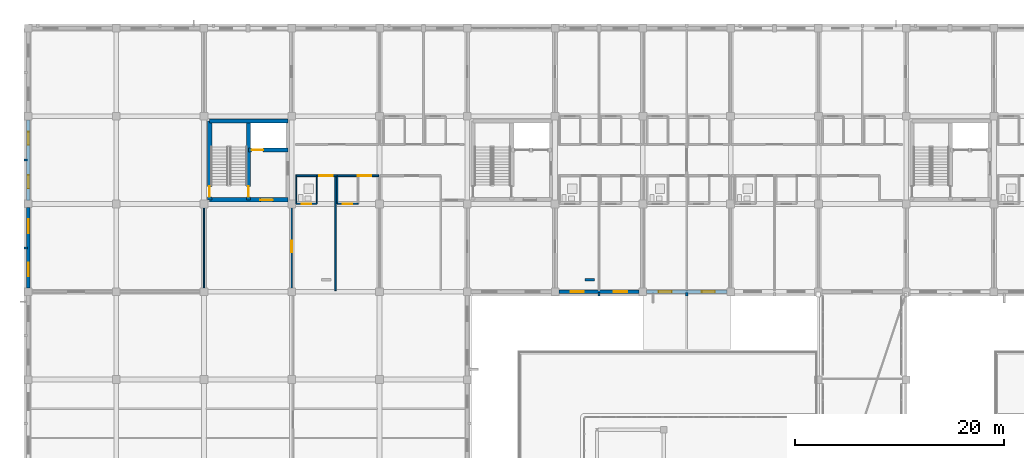
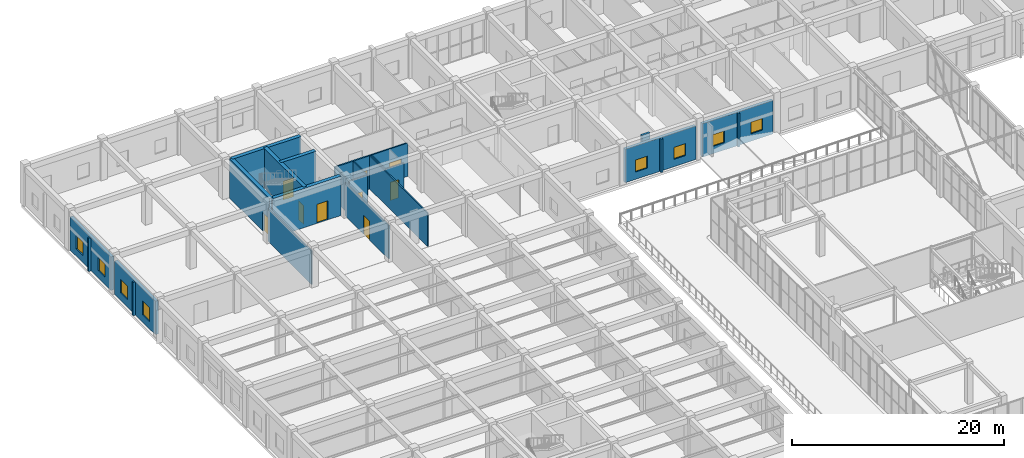
# One storey, part 126 of 158: 23 walls, 9 doors, 8 windows, 17 openings.
"""IFC4 building model written with IfcOpenShell, lengths in metres."""

from ifc_helpers import new_model, si_unit, direction, frame, frame_2d, origin, place, context, subcontext, project, spatial, rectangle, extrude, material, layer, layer_set, type_object, element, fill, save


model = new_model("IFC4")

# Units and contexts
model_context = context("Model", 3, precision=1e-05, world=origin(), true_north=direction((0.0, 1.0)))
body_context = subcontext(model_context, "Body", "Model", "MODEL_VIEW")
ifc_project = project(units=[si_unit("LENGTHUNIT", "METRE"), si_unit("AREAUNIT", "SQUARE_METRE"), si_unit("VOLUMEUNIT", "CUBIC_METRE"), si_unit("PLANEANGLEUNIT", "RADIAN"), si_unit("MASSUNIT", "GRAM", prefix="KILO")], contexts=[model_context])

# Site, building, storey
site_placement = place(None, origin())
site = spatial("IfcSite", under=ifc_project, at=site_placement, CompositionType="ELEMENT")
building_placement = place(site_placement, origin())
building = spatial("IfcBuilding", under=site, at=building_placement, Name="Trelvath General Hospital", CompositionType="ELEMENT")
storey_placement = place(building_placement, frame((0.0, 0.0, 8.10009765625)))
storey = spatial("IfcBuildingStorey", under=building, at=storey_placement, Name="L02", CompositionType="ELEMENT", Elevation=8.10009765625)

# Walls
ifc_material_1 = material(Name="Precast concrete C40/50", Category="concrete")
ifc_layer_1 = layer(ifc_material_1, 0.199951171875)
ifc_layer_set_1 = layer_set([ifc_layer_1], Name="Precast concrete C40/50")
wall_type_1 = type_object("IfcWallType", Name="BriseSoleilRib 200", PredefinedType="ELEMENTEDWALL", material=ifc_layer_set_1)
for number, where, z_axis, x_axis, name in (
    (1, (-0.074951171875, 96.60009765625, 0.0), (0.0, 0.0, 1.0), (-1.0, 0.0, 0.0), "Precast Concrete Brise-Soleil Rib Fin L02-169"),
    (2, (-0.074951171875, 105.0, 0.0), (0.0, 0.0, 1.0), (-1.0, 0.0, 0.0), "Precast Concrete Brise-Soleil Rib Fin L02-170"),
):
    element("IfcWall", number, at=place(storey_placement, frame(where, z_axis=z_axis, x_axis=x_axis)), inside=storey, type_object=wall_type_1, Name=name, PredefinedType="ELEMENTEDWALL", context=body_context, shape_type="SweptSolid", body=[
        extrude(rectangle(XDim=0.340087890625, YDim=0.199951171875, at=frame_2d((0.169921875, 0.0))), origin(), (0.0, 0.0, 1.0), 3.83984375),
    ])
for number, where, z_axis, x_axis, name in (
    (3, (54.60009765625, 92.324951171875, 0.0), (0.0, 0.0, 1.0), (0.0, -1.0, 0.0), "Precast Concrete Brise-Soleil Rib Fin L02-189"),
    (4, (63.0, 92.324951171875, 0.0), (0.0, 0.0, 1.0), (0.0, -1.0, 0.0), "Precast Concrete Brise-Soleil Rib Fin L02-193"),
):
    element("IfcWall", number, at=place(storey_placement, frame(where, z_axis=z_axis, x_axis=x_axis)), inside=storey, type_object=wall_type_1, Name=name, PredefinedType="ELEMENTEDWALL", context=body_context, shape_type="SweptSolid", body=[
        extrude(rectangle(XDim=0.33984375, YDim=0.199951171875, at=frame_2d((0.169921875, 0.0))), origin(), (0.0, 0.0, 1.0), 3.83984375),
    ])

# Wall, openings, doors
ifc_material_2 = material(Name="Gypsum acoustic steel-stud partition", Category="steel")
ifc_layer_2 = layer(ifc_material_2, 0.14990234375)
ifc_layer_set_2 = layer_set([ifc_layer_2], Name="Gypsum acoustic steel-stud partition")
wall_type_2 = type_object("IfcWallType", Name="ClinicalPartition 150", PredefinedType="PARTITIONING", material=ifc_layer_set_2)
wall_1_placement = place(storey_placement, frame((25.56005859375, 103.5, 0.0), z_axis=(0.0, 0.0, 1.0), x_axis=(1.0, 0.0, 0.0)))
wall_1 = element("IfcWall", 5, at=wall_1_placement, inside=storey, type_object=wall_type_2, Name="Corridor Partition L02-858", PredefinedType="PARTITIONING", context=body_context, shape_type="SweptSolid", body=[
    extrude(rectangle(XDim=7.9599609375, YDim=0.14990234375, at=frame_2d((3.97998046875, 0.0))), origin(), (0.0, 0.0, 1.0), 3.83984375),
])
opening_1_placement = place(wall_1_placement, frame((2.25, 0.0, 0.0)))
opening_1 = element("IfcOpeningElement", 6, at=opening_1_placement, cuts=wall_1, Name="Opening D-2-0715", PredefinedType="OPENING", context=body_context, shape_type="SweptSolid", body=[
    extrude(rectangle(XDim=1.300048828125, YDim=2.25, at=frame_2d((0.64990234375, 1.125))), frame((0.0, 0.0849609375, 0.0), z_axis=(0.0, -1.0, 0.0), x_axis=(1.0, 0.0, 0.0)), (0.0, 0.0, 1.0), 0.169921875),
])
opening_2_placement = place(wall_1_placement, frame((5.949951171875, 0.0, 0.0)))
opening_2 = element("IfcOpeningElement", 7, at=opening_2_placement, cuts=wall_1, Name="Opening D-2-0716", PredefinedType="OPENING", context=body_context, shape_type="SweptSolid", body=[
    extrude(rectangle(XDim=1.300048828125, YDim=2.25, at=frame_2d((0.64990234375, 1.125))), frame((0.0, 0.0849609375, 0.0), z_axis=(0.0, -1.0, 0.0), x_axis=(1.0, 0.0, 0.0)), (0.0, 0.0, 1.0), 0.169921875),
])
ifc_material_3 = material(Name="Hospital bed-leaf timber door", Category="wood")
door_type_1 = type_object("IfcDoorType", Name="Door PatientBed 1300x2250", OperationType="NOTDEFINED", PredefinedType="DOOR", material=ifc_material_3)
door_1_placement = place(opening_1_placement, origin())
door_1 = element("IfcDoor", 8, at=door_1_placement, inside=storey, type_object=door_type_1, Name="Patient Room Door L02-715", OperationType="SINGLE_SWING_RIGHT", OverallHeight=2.25, OverallWidth=1.300048828125, PredefinedType="DOOR", context=body_context, shape_type="SweptSolid", body=[
    extrude(rectangle(XDim=1.300048828125, YDim=2.25, at=frame_2d((0.64990234375, 1.125))), frame((0.0, 0.02490234375, 0.0), z_axis=(0.0, -1.0, 0.0), x_axis=(1.0, 0.0, 0.0)), (0.0, 0.0, 1.0), 0.050048828125),
])
fill(opening_1, door_1)
door_2_placement = place(opening_2_placement, origin())
door_2 = element("IfcDoor", 9, at=door_2_placement, inside=storey, type_object=door_type_1, Name="Patient Room Door L02-716", OperationType="SINGLE_SWING_LEFT", OverallHeight=2.25, OverallWidth=1.300048828125, PredefinedType="DOOR", context=body_context, shape_type="SweptSolid", body=[
    extrude(rectangle(XDim=1.300048828125, YDim=2.25, at=frame_2d((0.64990234375, 1.125))), frame((0.0, 0.02490234375, 0.0), z_axis=(0.0, -1.0, 0.0), x_axis=(1.0, 0.0, 0.0)), (0.0, 0.0, 1.0), 0.050048828125),
])
fill(opening_2, door_2)

# Wall, opening, door
ifc_material_4 = material(Name="Concrete C40/50", Category="concrete")
ifc_layer_3 = layer(ifc_material_4, 0.39990234375)
ifc_layer_set_3 = layer_set([ifc_layer_3], Name="Concrete C40/50")
wall_type_3 = type_object("IfcWallType", Name="CoreShearWall 400", PredefinedType="SHEAR", material=ifc_layer_set_3)
wall_2_placement = place(storey_placement, frame((17.35009765625, 101.199951171875, 0.0), z_axis=(0.0, 0.0, 1.0), x_axis=(1.0, 0.0, 0.0)))
wall_2 = element("IfcWall", 10, at=wall_2_placement, inside=storey, type_object=wall_type_3, Name="Core Shear Wall C3 S L02", PredefinedType="SHEAR", context=body_context, shape_type="SweptSolid", body=[
    extrude(rectangle(XDim=7.5, YDim=0.39990234375, at=frame_2d((3.75, 0.0))), origin(), (0.0, 0.0, 1.0), 4.52001953125),
])
opening_3_placement = place(wall_2_placement, frame((4.85009765625, 0.0, 0.0)))
opening_3 = element("IfcOpeningElement", 11, at=opening_3_placement, cuts=wall_2, Name="Opening FD-LS32", PredefinedType="OPENING", context=body_context, shape_type="SweptSolid", body=[
    extrude(rectangle(XDim=1.199951171875, YDim=2.199951171875, at=frame_2d((0.60009765625, 1.10009765625))), frame((0.0, 0.2099609375, 0.0), z_axis=(0.0, -1.0, 0.0), x_axis=(1.0, 0.0, 0.0)), (0.0, 0.0, 1.0), 0.419921875),
])
ifc_material_5 = material(Name="Fire-rated steel door", Category="steel")
door_type_2 = type_object("IfcDoorType", Name="Door FireLobby 1200x2200", OperationType="NOTDEFINED", PredefinedType="DOOR", material=ifc_material_5)
door_3_placement = place(opening_3_placement, origin())
door_3 = element("IfcDoor", 12, at=door_3_placement, inside=storey, type_object=door_type_2, Name="Fire Lobby South Door C3 L02", OperationType="SINGLE_SWING_LEFT", OverallHeight=2.199951171875, OverallWidth=1.199951171875, PredefinedType="DOOR", context=body_context, shape_type="SweptSolid", body=[
    extrude(rectangle(XDim=1.199951171875, YDim=2.199951171875, at=frame_2d((0.60009765625, 1.10009765625))), frame((0.0, 0.02490234375, 0.0), z_axis=(0.0, -1.0, 0.0), x_axis=(1.0, 0.0, 0.0)), (0.0, 0.0, 1.0), 0.050048828125),
])
fill(opening_3, door_3)

# Wall
wall_3_placement = place(storey_placement, frame((17.35009765625, 108.75, 0.0), z_axis=(0.0, 0.0, 1.0), x_axis=(1.0, 0.0, 0.0)))
element("IfcWall", 13, at=wall_3_placement, inside=storey, type_object=wall_type_3, Name="Core Shear Wall C3 N L02", PredefinedType="SHEAR", context=body_context, shape_type="SweptSolid", body=[
    extrude(rectangle(XDim=7.5, YDim=0.39990234375, at=frame_2d((3.75, 0.0))), origin(), (0.0, 0.0, 1.0), 4.52001953125),
])

# Wall, opening, door
wall_4_placement = place(storey_placement, frame((17.35009765625, 101.199951171875, 0.0), z_axis=(0.0, 0.0, 1.0), x_axis=(0.0, 1.0, 0.0)))
wall_4 = element("IfcWall", 14, at=wall_4_placement, inside=storey, type_object=wall_type_3, Name="Core Shear Wall C3 W L02", PredefinedType="SHEAR", context=body_context, shape_type="SweptSolid", body=[
    extrude(rectangle(XDim=7.550048828125, YDim=0.39990234375, at=frame_2d((3.77490234375, 0.0))), origin(), (0.0, 0.0, 1.0), 4.52001953125),
])
opening_4_placement = place(wall_4_placement, frame((0.280029296875, 0.0, 0.0)))
opening_4 = element("IfcOpeningElement", 15, at=opening_4_placement, cuts=wall_4, Name="Opening FD-SW32", PredefinedType="OPENING", context=body_context, shape_type="SweptSolid", body=[
    extrude(rectangle(XDim=1.0, YDim=2.14990234375, at=frame_2d((0.5, 1.074951171875))), frame((0.0, 0.2099609375, 0.0), z_axis=(0.0, -1.0, 0.0), x_axis=(1.0, 0.0, 0.0)), (0.0, 0.0, 1.0), 0.419921875),
])
ifc_material_6 = material(Name="Fire-rated steel door", Category="steel")
door_type_3 = type_object("IfcDoorType", Name="Door FireStair 1100x2150", OperationType="NOTDEFINED", PredefinedType="DOOR", material=ifc_material_6)
door_4_placement = place(opening_4_placement, origin())
door_4 = element("IfcDoor", 16, at=door_4_placement, inside=storey, type_object=door_type_3, Name="West Corridor Stair Door ST3 L02", OperationType="SINGLE_SWING_RIGHT", OverallHeight=2.14990234375, OverallWidth=1.0, PredefinedType="DOOR", context=body_context, shape_type="SweptSolid", body=[
    extrude(rectangle(XDim=1.0, YDim=2.14990234375, at=frame_2d((0.5, 1.074951171875))), frame((0.0, 0.02490234375, 0.0), z_axis=(0.0, -1.0, 0.0), x_axis=(1.0, 0.0, 0.0)), (0.0, 0.0, 1.0), 0.050048828125),
])
fill(opening_4, door_4)

wall_5_placement = place(storey_placement, frame((21.050048828125, 101.199951171875, 0.0), z_axis=(0.0, 0.0, 1.0), x_axis=(0.0, 1.0, 0.0)))
wall_5 = element("IfcWall", 17, at=wall_5_placement, inside=storey, type_object=wall_type_3, Name="Core Shear Wall C3 SPINE L02", PredefinedType="SHEAR", context=body_context, shape_type="SweptSolid", body=[
    extrude(rectangle(XDim=7.550048828125, YDim=0.39990234375, at=frame_2d((3.77490234375, 0.0))), origin(), (0.0, 0.0, 1.0), 4.52001953125),
])
opening_5_placement = place(wall_5_placement, frame((0.280029296875, 0.0, 0.0)))
opening_5 = element("IfcOpeningElement", 18, at=opening_5_placement, cuts=wall_5, Name="Opening FD-S32", PredefinedType="OPENING", context=body_context, shape_type="SweptSolid", body=[
    extrude(rectangle(XDim=1.0, YDim=2.14990234375, at=frame_2d((0.5, 1.074951171875))), frame((0.0, 0.2099609375, 0.0), z_axis=(0.0, -1.0, 0.0), x_axis=(1.0, 0.0, 0.0)), (0.0, 0.0, 1.0), 0.419921875),
])
door_5_placement = place(opening_5_placement, origin())
door_5 = element("IfcDoor", 19, at=door_5_placement, inside=storey, type_object=door_type_3, Name="Exit Stair Door ST3 L02", OperationType="SINGLE_SWING_LEFT", OverallHeight=2.14990234375, OverallWidth=1.0, PredefinedType="DOOR", context=body_context, shape_type="SweptSolid", body=[
    extrude(rectangle(XDim=1.0, YDim=2.14990234375, at=frame_2d((0.5, 1.074951171875))), frame((0.0, 0.02490234375, 0.0), z_axis=(0.0, -1.0, 0.0), x_axis=(1.0, 0.0, 0.0)), (0.0, 0.0, 1.0), 0.050048828125),
])
fill(opening_5, door_5)

wall_6_placement = place(storey_placement, frame((21.050048828125, 105.949951171875, 0.0), z_axis=(0.0, 0.0, 1.0), x_axis=(1.0, 0.0, 0.0)))
wall_6 = element("IfcWall", 20, at=wall_6_placement, inside=storey, type_object=wall_type_3, Name="Core Shear Wall C3 SHAFT L02", PredefinedType="SHEAR", context=body_context, shape_type="SweptSolid", body=[
    extrude(rectangle(XDim=3.800048828125, YDim=0.39990234375, at=frame_2d((1.89990234375, 0.0))), origin(), (0.0, 0.0, 1.0), 4.52001953125),
])
opening_6_placement = place(wall_6_placement, frame((0.320068359375, 0.0, 0.0)))
opening_6 = element("IfcOpeningElement", 21, at=opening_6_placement, cuts=wall_6, Name="Opening LD-CL1-2", PredefinedType="OPENING", context=body_context, shape_type="SweptSolid", body=[
    extrude(rectangle(XDim=1.10009765625, YDim=2.14990234375, at=frame_2d((0.550048828125, 1.074951171875))), frame((0.0, 0.2099609375, 0.0), z_axis=(0.0, -1.0, 0.0), x_axis=(1.0, 0.0, 0.0)), (0.0, 0.0, 1.0), 0.419921875),
])
ifc_material_7 = material(Name="Stainless steel lift landing sliding door", Category="steel")
door_type_4 = type_object("IfcDoorType", Name="Door LiftLanding 1100x2150", OperationType="SLIDING_TO_LEFT", PredefinedType="DOOR", material=ifc_material_7)
door_6_placement = place(opening_6_placement, origin())
door_6 = element("IfcDoor", 22, at=door_6_placement, inside=storey, type_object=door_type_4, Name="Lift Landing Sliding Door LF-CL1 L02", OperationType="SLIDING_TO_LEFT", OverallHeight=2.14990234375, OverallWidth=1.10009765625, PredefinedType="DOOR", context=body_context, shape_type="SweptSolid", body=[
    extrude(rectangle(XDim=1.10009765625, YDim=2.14990234375, at=frame_2d((0.550048828125, 1.074951171875))), frame((0.0, 0.02490234375, 0.0), z_axis=(0.0, -1.0, 0.0), x_axis=(1.0, 0.0, 0.0)), (0.0, 0.0, 1.0), 0.050048828125),
])
fill(opening_6, door_6)

# Walls
ifc_material_8 = material(Name="Moisture-resistant tile partition")
ifc_layer_4 = layer(ifc_material_8, 0.110107421875)
ifc_layer_set_4 = layer_set([ifc_layer_4], Name="Moisture-resistant tile partition")
wall_type_4 = type_object("IfcWallType", Name="EnSuiteWetWall 110", PredefinedType="PARTITIONING", material=ifc_layer_set_4)
for number, where, z_axis, x_axis, name in (
    (23, (25.6201171875, 100.820068359375, 0.0), (0.0, 0.0, 1.0), (0.0, 1.0, 0.0), "En-Suite W Wall L02-860"),
    (24, (27.60009765625, 100.820068359375, 0.0), (0.0, 0.0, 1.0), (0.0, 1.0, 0.0), "En-Suite E Wall L02-861"),
):
    element("IfcWall", number, at=place(storey_placement, frame(where, z_axis=z_axis, x_axis=x_axis)), inside=storey, type_object=wall_type_4, Name=name, PredefinedType="PARTITIONING", context=body_context, shape_type="SweptSolid", body=[
        extrude(rectangle(XDim=2.60986328125, YDim=0.110107421875, at=frame_2d((1.304931640625, 0.0))), origin(), (0.0, 0.0, 1.0), 3.83984375),
    ])

# Wall, opening, door
wall_7_placement = place(storey_placement, frame((25.6201171875, 100.820068359375, 0.0), z_axis=(0.0, 0.0, 1.0), x_axis=(1.0, 0.0, 0.0)))
wall_7 = element("IfcWall", 25, at=wall_7_placement, inside=storey, type_object=wall_type_4, Name="En-Suite Bathroom Partition L02-862", PredefinedType="PARTITIONING", context=body_context, shape_type="SweptSolid", body=[
    extrude(rectangle(XDim=1.97998046875, YDim=0.110107421875, at=frame_2d((0.989990234375, 0.0))), origin(), (0.0, 0.0, 1.0), 3.83984375),
])
opening_7_placement = place(wall_7_placement, frame((0.5400390625, 0.0, 0.0)))
opening_7 = element("IfcOpeningElement", 26, at=opening_7_placement, cuts=wall_7, Name="Opening D-2-0717", PredefinedType="OPENING", context=body_context, shape_type="SweptSolid", body=[
    extrude(rectangle(XDim=0.89990234375, YDim=2.10009765625, at=frame_2d((0.449951171875, 1.050048828125))), frame((0.0, 0.06494140625, 0.0), z_axis=(0.0, -1.0, 0.0), x_axis=(1.0, 0.0, 0.0)), (0.0, 0.0, 1.0), 0.130126953125),
])
ifc_material_9 = material(Name="Moisture-sealed timber leaf", Category="wood")
door_type_5 = type_object("IfcDoorType", Name="Door EnSuite 900x2100", OperationType="NOTDEFINED", PredefinedType="DOOR", material=ifc_material_9)
door_7_placement = place(opening_7_placement, origin())
door_7 = element("IfcDoor", 27, at=door_7_placement, inside=storey, type_object=door_type_5, Name="En-Suite Bathroom Door L02-717", OperationType="SINGLE_SWING_RIGHT", OverallHeight=2.10009765625, OverallWidth=0.89990234375, PredefinedType="DOOR", context=body_context, shape_type="SweptSolid", body=[
    extrude(rectangle(XDim=0.89990234375, YDim=2.10009765625, at=frame_2d((0.449951171875, 1.050048828125))), frame((0.0, 0.02490234375, 0.0), z_axis=(0.0, -1.0, 0.0), x_axis=(1.0, 0.0, 0.0)), (0.0, 0.0, 1.0), 0.050048828125),
])
fill(opening_7, door_7)

# Wall
wall_8_placement = place(storey_placement, frame((29.56005859375, 100.820068359375, 0.0), z_axis=(0.0, 0.0, 1.0), x_axis=(0.0, 1.0, 0.0)))
element("IfcWall", 28, at=wall_8_placement, inside=storey, type_object=wall_type_4, Name="En-Suite W Wall L02-863", PredefinedType="PARTITIONING", context=body_context, shape_type="SweptSolid", body=[
    extrude(rectangle(XDim=2.60986328125, YDim=0.110107421875, at=frame_2d((1.304931640625, 0.0))), origin(), (0.0, 0.0, 1.0), 3.83984375),
])

# Wall, opening, door
wall_9_placement = place(storey_placement, frame((29.56005859375, 100.820068359375, 0.0), z_axis=(0.0, 0.0, 1.0), x_axis=(1.0, 0.0, 0.0)))
wall_9 = element("IfcWall", 29, at=wall_9_placement, inside=storey, type_object=wall_type_4, Name="En-Suite Bathroom Partition L02-865", PredefinedType="PARTITIONING", context=body_context, shape_type="SweptSolid", body=[
    extrude(rectangle(XDim=1.97998046875, YDim=0.110107421875, at=frame_2d((0.989990234375, 0.0))), origin(), (0.0, 0.0, 1.0), 3.83984375),
])
opening_8_placement = place(wall_9_placement, frame((0.5400390625, 0.0, 0.0)))
opening_8 = element("IfcOpeningElement", 30, at=opening_8_placement, cuts=wall_9, Name="Opening D-2-0718", PredefinedType="OPENING", context=body_context, shape_type="SweptSolid", body=[
    extrude(rectangle(XDim=0.89990234375, YDim=2.10009765625, at=frame_2d((0.449951171875, 1.050048828125))), frame((0.0, 0.06494140625, 0.0), z_axis=(0.0, -1.0, 0.0), x_axis=(1.0, 0.0, 0.0)), (0.0, 0.0, 1.0), 0.130126953125),
])
door_8_placement = place(opening_8_placement, origin())
door_8 = element("IfcDoor", 31, at=door_8_placement, inside=storey, type_object=door_type_5, Name="En-Suite Bathroom Door L02-718", OperationType="SINGLE_SWING_LEFT", OverallHeight=2.10009765625, OverallWidth=0.89990234375, PredefinedType="DOOR", context=body_context, shape_type="SweptSolid", body=[
    extrude(rectangle(XDim=0.89990234375, YDim=2.10009765625, at=frame_2d((0.449951171875, 1.050048828125))), frame((0.0, 0.02490234375, 0.0), z_axis=(0.0, -1.0, 0.0), x_axis=(1.0, 0.0, 0.0)), (0.0, 0.0, 1.0), 0.050048828125),
])
fill(opening_8, door_8)

# Wall, openings, windows
ifc_material_10 = material(Name="Concrete C35/45", Category="concrete")
ifc_layer_5 = layer(ifc_material_10, 0.320068359375)
ifc_layer_set_5 = layer_set([ifc_layer_5], Name="Concrete C35/45")
wall_type_5 = type_object("IfcWallType", Name="ExtThermalWall 320", PredefinedType="SOLIDWALL", material=ifc_layer_set_5)
wall_10_placement = place(storey_placement, frame((0.0, 92.7548828125, 0.0), z_axis=(0.0, 0.0, 1.0), x_axis=(0.0, 1.0, 0.0)))
wall_10 = element("IfcWall", 32, at=wall_10_placement, inside=storey, type_object=wall_type_5, Name="Exterior Concrete Wall L02-232", PredefinedType="SOLIDWALL", context=body_context, shape_type="SweptSolid", body=[
    extrude(rectangle(XDim=7.690185546875, YDim=0.320068359375, at=frame_2d((3.84521484375, 0.0))), origin(), (0.0, 0.0, 1.0), 3.85986328125),
])
opening_9_placement = place(wall_10_placement, frame((1.108642578125, 0.0, 0.85009765625)))
opening_9 = element("IfcOpeningElement", 33, at=opening_9_placement, cuts=wall_10, Name="Opening WN-2-361", PredefinedType="OPENING", context=body_context, shape_type="SweptSolid", body=[
    extrude(rectangle(XDim=1.320068359375, YDim=1.580078125, at=frame_2d((0.66015625, 0.7900390625))), frame((0.0, 0.169921875, 0.0), z_axis=(0.0, -1.0, 0.0), x_axis=(1.0, 0.0, 0.0)), (0.0, 0.0, 1.0), 0.340087890625),
])
opening_10_placement = place(wall_10_placement, frame((5.26123046875, 0.0, 0.85009765625)))
opening_10 = element("IfcOpeningElement", 34, at=opening_10_placement, cuts=wall_10, Name="Opening WN-2-362", PredefinedType="OPENING", context=body_context, shape_type="SweptSolid", body=[
    extrude(rectangle(XDim=1.320068359375, YDim=1.580078125, at=frame_2d((0.66015625, 0.7900390625))), frame((0.0, 0.169921875, 0.0), z_axis=(0.0, -1.0, 0.0), x_axis=(1.0, 0.0, 0.0)), (0.0, 0.0, 1.0), 0.340087890625),
])
ifc_material_11 = material(Name="Low-E laminated glass", Category="glass")
window_type_1 = type_object("IfcWindowType", Name="Window Pediatrics 1320x1580", PartitioningType="DOUBLE_PANEL_VERTICAL", PredefinedType="WINDOW", material=ifc_material_11)
window_1_placement = place(opening_9_placement, origin())
window_1 = element("IfcWindow", 35, at=window_1_placement, inside=storey, type_object=window_type_1, Name="Solar Reveal Window L02-361", OverallHeight=1.580078125, OverallWidth=1.320068359375, PartitioningType="SINGLE_PANEL", PredefinedType="WINDOW", context=body_context, shape_type="SweptSolid", body=[
    extrude(rectangle(XDim=1.320068359375, YDim=1.580078125, at=frame_2d((0.66015625, 0.7900390625))), frame((0.0, 0.030029296875, 0.0), z_axis=(0.0, -1.0, 0.0), x_axis=(1.0, 0.0, 0.0)), (0.0, 0.0, 1.0), 0.06005859375),
])
fill(opening_9, window_1)
window_2_placement = place(opening_10_placement, origin())
window_2 = element("IfcWindow", 36, at=window_2_placement, inside=storey, type_object=window_type_1, Name="Solar Reveal Window L02-362", OverallHeight=1.580078125, OverallWidth=1.320068359375, PartitioningType="SINGLE_PANEL", PredefinedType="WINDOW", context=body_context, shape_type="SweptSolid", body=[
    extrude(rectangle(XDim=1.320068359375, YDim=1.580078125, at=frame_2d((0.66015625, 0.7900390625))), frame((0.0, 0.030029296875, 0.0), z_axis=(0.0, -1.0, 0.0), x_axis=(1.0, 0.0, 0.0)), (0.0, 0.0, 1.0), 0.06005859375),
])
fill(opening_10, window_2)

wall_11_placement = place(storey_placement, frame((0.0, 101.155029296875, 0.0), z_axis=(0.0, 0.0, 1.0), x_axis=(0.0, 1.0, 0.0)))
wall_11 = element("IfcWall", 37, at=wall_11_placement, inside=storey, type_object=wall_type_5, Name="Exterior Concrete Wall L02-233", PredefinedType="SOLIDWALL", context=body_context, shape_type="SweptSolid", body=[
    extrude(rectangle(XDim=7.68994140625, YDim=0.320068359375, at=frame_2d((3.844970703125, 0.0))), origin(), (0.0, 0.0, 1.0), 3.85986328125),
])
opening_11_placement = place(wall_11_placement, frame((1.138671875, 0.0, 0.85009765625)))
opening_11 = element("IfcOpeningElement", 38, at=opening_11_placement, cuts=wall_11, Name="Opening WN-2-363", PredefinedType="OPENING", context=body_context, shape_type="SweptSolid", body=[
    extrude(rectangle(XDim=1.260009765625, YDim=1.52001953125, at=frame_2d((0.6298828125, 0.760009765625))), frame((0.0, 0.169921875, 0.0), z_axis=(0.0, -1.0, 0.0), x_axis=(1.0, 0.0, 0.0)), (0.0, 0.0, 1.0), 0.340087890625),
])
opening_12_placement = place(wall_11_placement, frame((5.291259765625, 0.0, 0.85009765625)))
opening_12 = element("IfcOpeningElement", 39, at=opening_12_placement, cuts=wall_11, Name="Opening WN-2-364", PredefinedType="OPENING", context=body_context, shape_type="SweptSolid", body=[
    extrude(rectangle(XDim=1.260009765625, YDim=1.52001953125, at=frame_2d((0.6298828125, 0.760009765625))), frame((0.0, 0.169921875, 0.0), z_axis=(0.0, -1.0, 0.0), x_axis=(1.0, 0.0, 0.0)), (0.0, 0.0, 1.0), 0.340087890625),
])
ifc_material_12 = material(Name="Low-E laminated glass", Category="glass")
window_type_2 = type_object("IfcWindowType", Name="Window Oncology 1260x1520", PartitioningType="SINGLE_PANEL", PredefinedType="WINDOW", material=ifc_material_12)
window_3_placement = place(opening_11_placement, origin())
window_3 = element("IfcWindow", 40, at=window_3_placement, inside=storey, type_object=window_type_2, Name="Solar Reveal Window L02-363", OverallHeight=1.52001953125, OverallWidth=1.260009765625, PartitioningType="SINGLE_PANEL", PredefinedType="WINDOW", context=body_context, shape_type="SweptSolid", body=[
    extrude(rectangle(XDim=1.260009765625, YDim=1.52001953125, at=frame_2d((0.6298828125, 0.760009765625))), frame((0.0, 0.030029296875, 0.0), z_axis=(0.0, -1.0, 0.0), x_axis=(1.0, 0.0, 0.0)), (0.0, 0.0, 1.0), 0.06005859375),
])
fill(opening_11, window_3)
window_4_placement = place(opening_12_placement, origin())
window_4 = element("IfcWindow", 41, at=window_4_placement, inside=storey, type_object=window_type_2, Name="Solar Reveal Window L02-364", OverallHeight=1.52001953125, OverallWidth=1.260009765625, PartitioningType="SINGLE_PANEL", PredefinedType="WINDOW", context=body_context, shape_type="SweptSolid", body=[
    extrude(rectangle(XDim=1.260009765625, YDim=1.52001953125, at=frame_2d((0.6298828125, 0.760009765625))), frame((0.0, 0.030029296875, 0.0), z_axis=(0.0, -1.0, 0.0), x_axis=(1.0, 0.0, 0.0)), (0.0, 0.0, 1.0), 0.06005859375),
])
fill(opening_12, window_4)

wall_12_placement = place(storey_placement, frame((58.445068359375, 92.39990234375, 0.0), z_axis=(0.0, 0.0, 1.0), x_axis=(-1.0, 0.0, 0.0)))
wall_12 = element("IfcWall", 42, at=wall_12_placement, inside=storey, type_object=wall_type_5, Name="Exterior Concrete Wall L02-256", PredefinedType="SOLIDWALL", context=body_context, shape_type="SweptSolid", body=[
    extrude(rectangle(XDim=7.690185546875, YDim=0.320068359375, at=frame_2d((3.84521484375, 0.0))), origin(), (0.0, 0.0, 1.0), 3.85986328125),
])
opening_13_placement = place(wall_12_placement, frame((1.128662109375, 0.0, 0.85009765625)))
opening_13 = element("IfcOpeningElement", 43, at=opening_13_placement, cuts=wall_12, Name="Opening WN-2-409", PredefinedType="OPENING", context=body_context, shape_type="SweptSolid", body=[
    extrude(rectangle(XDim=1.280029296875, YDim=1.3798828125, at=frame_2d((0.64013671875, 0.68994140625))), frame((0.0, 0.169921875, 0.0), z_axis=(0.0, -1.0, 0.0), x_axis=(1.0, 0.0, 0.0)), (0.0, 0.0, 1.0), 0.340087890625),
])
opening_14_placement = place(wall_12_placement, frame((5.28125, 0.0, 0.85009765625)))
opening_14 = element("IfcOpeningElement", 44, at=opening_14_placement, cuts=wall_12, Name="Opening WN-2-410", PredefinedType="OPENING", context=body_context, shape_type="SweptSolid", body=[
    extrude(rectangle(XDim=1.280029296875, YDim=1.3798828125, at=frame_2d((0.64013671875, 0.68994140625))), frame((0.0, 0.169921875, 0.0), z_axis=(0.0, -1.0, 0.0), x_axis=(1.0, 0.0, 0.0)), (0.0, 0.0, 1.0), 0.340087890625),
])
ifc_material_13 = material(Name="Low-E laminated glass", Category="glass")
window_type_3 = type_object("IfcWindowType", Name="Window Telemetry 1280x1380", PartitioningType="DOUBLE_PANEL_VERTICAL", PredefinedType="WINDOW", material=ifc_material_13)
window_5_placement = place(opening_13_placement, origin())
window_5 = element("IfcWindow", 45, at=window_5_placement, inside=storey, type_object=window_type_3, Name="Solar Reveal Window L02-409", OverallHeight=1.3798828125, OverallWidth=1.280029296875, PartitioningType="SINGLE_PANEL", PredefinedType="WINDOW", context=body_context, shape_type="SweptSolid", body=[
    extrude(rectangle(XDim=1.280029296875, YDim=1.3798828125, at=frame_2d((0.64013671875, 0.68994140625))), frame((0.0, 0.030029296875, 0.0), z_axis=(0.0, -1.0, 0.0), x_axis=(1.0, 0.0, 0.0)), (0.0, 0.0, 1.0), 0.06005859375),
])
fill(opening_13, window_5)
window_6_placement = place(opening_14_placement, origin())
window_6 = element("IfcWindow", 46, at=window_6_placement, inside=storey, type_object=window_type_3, Name="Solar Reveal Window L02-410", OverallHeight=1.3798828125, OverallWidth=1.280029296875, PartitioningType="SINGLE_PANEL", PredefinedType="WINDOW", context=body_context, shape_type="SweptSolid", body=[
    extrude(rectangle(XDim=1.280029296875, YDim=1.3798828125, at=frame_2d((0.64013671875, 0.68994140625))), frame((0.0, 0.030029296875, 0.0), z_axis=(0.0, -1.0, 0.0), x_axis=(1.0, 0.0, 0.0)), (0.0, 0.0, 1.0), 0.06005859375),
])
fill(opening_14, window_6)

wall_13_placement = place(storey_placement, frame((66.844970703125, 92.39990234375, 0.0), z_axis=(0.0, 0.0, 1.0), x_axis=(-1.0, 0.0, 0.0)))
wall_13 = element("IfcWall", 47, at=wall_13_placement, inside=storey, type_object=wall_type_5, Name="Exterior Concrete Wall L02-260", PredefinedType="SOLIDWALL", context=body_context, shape_type="SweptSolid", body=[
    extrude(rectangle(XDim=7.68994140625, YDim=0.320068359375, at=frame_2d((3.844970703125, 0.0))), origin(), (0.0, 0.0, 1.0), 3.85986328125),
])
opening_15_placement = place(wall_13_placement, frame((1.148681640625, 0.0, 0.85009765625)))
opening_15 = element("IfcOpeningElement", 48, at=opening_15_placement, cuts=wall_13, Name="Opening WN-2-417", PredefinedType="OPENING", context=body_context, shape_type="SweptSolid", body=[
    extrude(rectangle(XDim=1.239990234375, YDim=1.340087890625, at=frame_2d((0.6201171875, 0.669921875))), frame((0.0, 0.169921875, 0.0), z_axis=(0.0, -1.0, 0.0), x_axis=(1.0, 0.0, 0.0)), (0.0, 0.0, 1.0), 0.340087890625),
])
opening_16_placement = place(wall_13_placement, frame((5.30126953125, 0.0, 0.85009765625)))
opening_16 = element("IfcOpeningElement", 49, at=opening_16_placement, cuts=wall_13, Name="Opening WN-2-418", PredefinedType="OPENING", context=body_context, shape_type="SweptSolid", body=[
    extrude(rectangle(XDim=1.239990234375, YDim=1.340087890625, at=frame_2d((0.6201171875, 0.669921875))), frame((0.0, 0.169921875, 0.0), z_axis=(0.0, -1.0, 0.0), x_axis=(1.0, 0.0, 0.0)), (0.0, 0.0, 1.0), 0.340087890625),
])
ifc_material_14 = material(Name="Low-E laminated glass", Category="glass")
window_type_4 = type_object("IfcWindowType", Name="Window Pharmacy 1240x1340", PartitioningType="DOUBLE_PANEL_VERTICAL", PredefinedType="WINDOW", material=ifc_material_14)
window_7_placement = place(opening_15_placement, origin())
window_7 = element("IfcWindow", 50, at=window_7_placement, inside=storey, type_object=window_type_4, Name="Solar Reveal Window L02-417", OverallHeight=1.340087890625, OverallWidth=1.239990234375, PartitioningType="SINGLE_PANEL", PredefinedType="WINDOW", context=body_context, shape_type="SweptSolid", body=[
    extrude(rectangle(XDim=1.239990234375, YDim=1.340087890625, at=frame_2d((0.6201171875, 0.669921875))), frame((0.0, 0.030029296875, 0.0), z_axis=(0.0, -1.0, 0.0), x_axis=(1.0, 0.0, 0.0)), (0.0, 0.0, 1.0), 0.06005859375),
])
fill(opening_15, window_7)
window_8_placement = place(opening_16_placement, origin())
window_8 = element("IfcWindow", 51, at=window_8_placement, inside=storey, type_object=window_type_4, Name="Solar Reveal Window L02-418", OverallHeight=1.340087890625, OverallWidth=1.239990234375, PartitioningType="SINGLE_PANEL", PredefinedType="WINDOW", context=body_context, shape_type="SweptSolid", body=[
    extrude(rectangle(XDim=1.239990234375, YDim=1.340087890625, at=frame_2d((0.6201171875, 0.669921875))), frame((0.0, 0.030029296875, 0.0), z_axis=(0.0, -1.0, 0.0), x_axis=(1.0, 0.0, 0.0)), (0.0, 0.0, 1.0), 0.06005859375),
])
fill(opening_16, window_8)

# Walls
ifc_material_15 = material(Name="Masonry service chase blockwork", Category="masonry")
ifc_layer_6 = layer(ifc_material_15, 0.239990234375)
ifc_layer_set_6 = layer_set([ifc_layer_6], Name="Masonry service chase blockwork")
wall_type_6 = type_object("IfcWallType", Name="PlumbingChaseWall 240", PredefinedType="PLUMBINGWALL", material=ifc_layer_set_6)
wall_14_placement = place(storey_placement, frame((53.25, 93.550048828125, 0.0), z_axis=(0.0, 0.0, 1.0), x_axis=(1.0, 0.0, 0.0)))
element("IfcWall", 52, at=wall_14_placement, inside=storey, type_object=wall_type_6, Name="Medical Gas Plumbing Chase L02-893", PredefinedType="PLUMBINGWALL", context=body_context, shape_type="SweptSolid", body=[
    extrude(rectangle(XDim=0.89990234375, YDim=0.239990234375, at=frame_2d((0.449951171875, 0.0))), origin(), (0.0, 0.0, 1.0), 3.83984375),
])
ifc_material_16 = material(Name="Gypsum acoustic steel-stud partition", Category="steel")
ifc_layer_7 = layer(ifc_material_16, 0.1298828125)
ifc_layer_set_7 = layer_set([ifc_layer_7], Name="Gypsum acoustic steel-stud partition")
wall_type_7 = type_object("IfcWallType", Name="WardPartition 130", PredefinedType="PARTITIONING", material=ifc_layer_set_7)
wall_15_placement = place(storey_placement, frame((16.800048828125, 92.5400390625, 0.0), z_axis=(0.0, 0.0, 1.0), x_axis=(0.0, 1.0, 0.0)))
element("IfcWall", 53, at=wall_15_placement, inside=storey, type_object=wall_type_7, Name="Inter-Bay Ward Partition S L02-854", PredefinedType="PARTITIONING", context=body_context, shape_type="SweptSolid", body=[
    extrude(rectangle(XDim=8.2099609375, YDim=0.1298828125, at=frame_2d((4.10498046875, 0.0))), origin(), (0.0, 0.0, 1.0), 3.83984375),
])

# Wall, opening, door
wall_16_placement = place(storey_placement, frame((25.199951171875, 92.5400390625, 0.0), z_axis=(0.0, 0.0, 1.0), x_axis=(0.0, 1.0, 0.0)))
wall_16 = element("IfcWall", 54, at=wall_16_placement, inside=storey, type_object=wall_type_7, Name="Inter-Bay Ward Partition S L02-856", PredefinedType="PARTITIONING", context=body_context, shape_type="SweptSolid", body=[
    extrude(rectangle(XDim=8.2099609375, YDim=0.1298828125, at=frame_2d((4.10498046875, 0.0))), origin(), (0.0, 0.0, 1.0), 3.83984375),
])
opening_17_placement = place(wall_16_placement, frame((3.639892578125, 0.0, 0.0)))
opening_17 = element("IfcOpeningElement", 55, at=opening_17_placement, cuts=wall_16, Name="Opening D-2-0713", PredefinedType="OPENING", context=body_context, shape_type="SweptSolid", body=[
    extrude(rectangle(XDim=1.080078125, YDim=2.14990234375, at=frame_2d((0.5400390625, 1.074951171875))), frame((0.0, 0.074951171875, 0.0), z_axis=(0.0, -1.0, 0.0), x_axis=(1.0, 0.0, 0.0)), (0.0, 0.0, 1.0), 0.14990234375),
])
ifc_material_17 = material(Name="Acoustic hospital timber leaf", Category="wood")
door_type_6 = type_object("IfcDoorType", Name="Door CleanSupply 1080x2150", OperationType="NOTDEFINED", PredefinedType="DOOR", material=ifc_material_17)
door_9_placement = place(opening_17_placement, origin())
door_9 = element("IfcDoor", 56, at=door_9_placement, inside=storey, type_object=door_type_6, Name="Clean Supply Connecting Door L02-713", OperationType="SINGLE_SWING_RIGHT", OverallHeight=2.14990234375, OverallWidth=1.080078125, PredefinedType="DOOR", context=body_context, shape_type="SweptSolid", body=[
    extrude(rectangle(XDim=1.080078125, YDim=2.14990234375, at=frame_2d((0.5400390625, 1.074951171875))), frame((0.0, 0.02490234375, 0.0), z_axis=(0.0, -1.0, 0.0), x_axis=(1.0, 0.0, 0.0)), (0.0, 0.0, 1.0), 0.050048828125),
])
fill(opening_17, door_9)

# Wall
wall_17_placement = place(storey_placement, frame((29.39990234375, 92.5, 0.0), z_axis=(0.0, 0.0, 1.0), x_axis=(0.0, 1.0, 0.0)))
element("IfcWall", 57, at=wall_17_placement, inside=storey, type_object=wall_type_7, Name="Room Dividing Partition S L02-859", PredefinedType="PARTITIONING", context=body_context, shape_type="SweptSolid", body=[
    extrude(rectangle(XDim=10.929931640625, YDim=0.1298828125, at=frame_2d((5.46484375, 0.0))), origin(), (0.0, 0.0, 1.0), 3.83984375),
])

save(model, "model.ifc")
